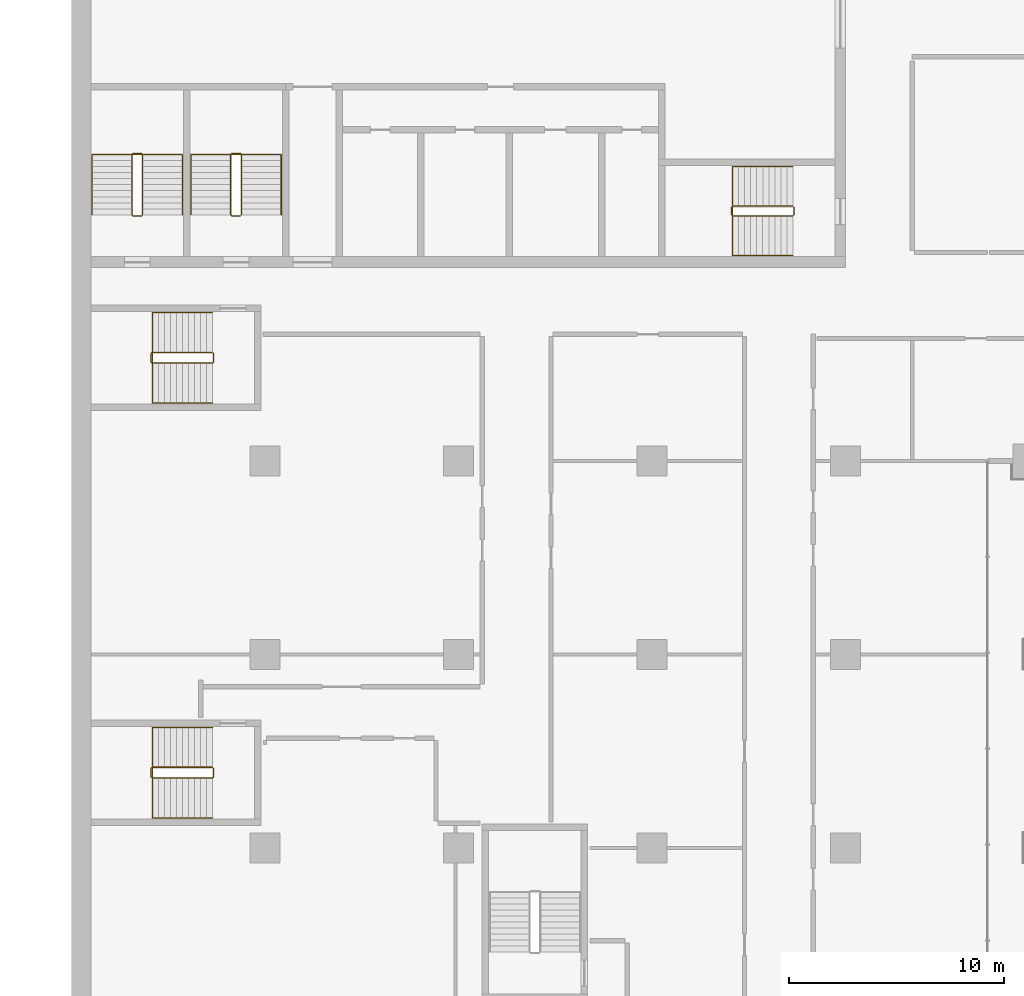
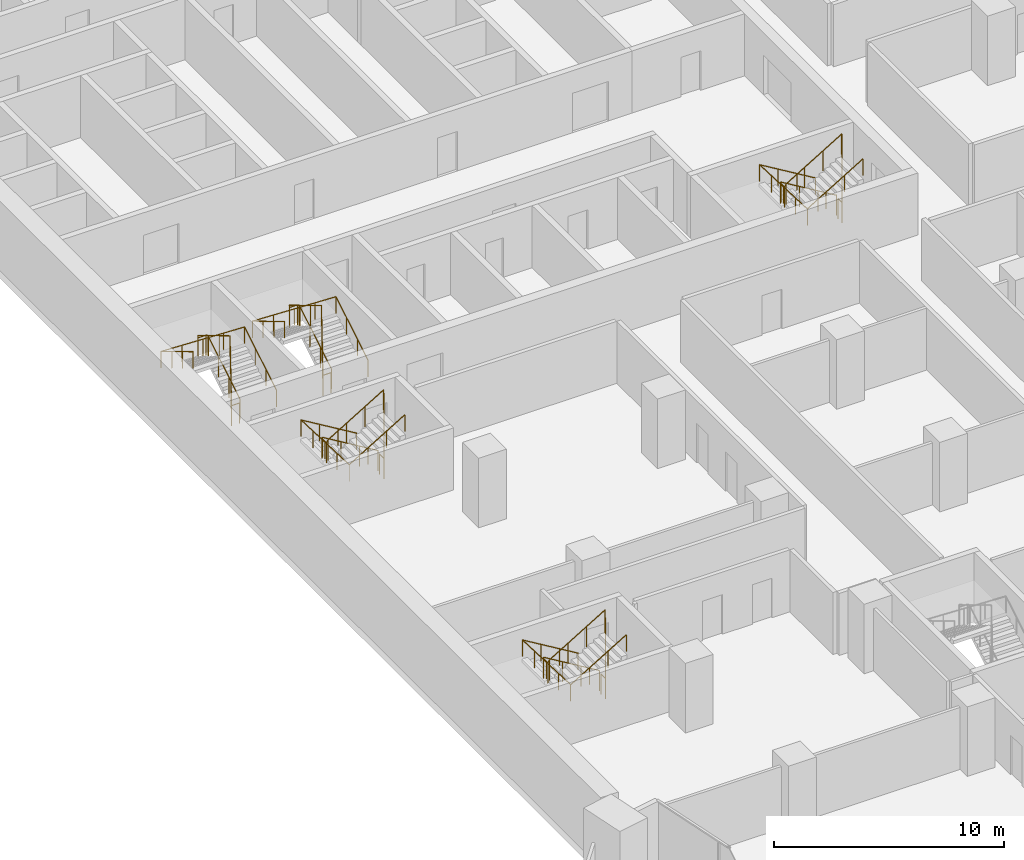
# One storey, part 26 of 29: 10 railings.
"""IFC4 building model written with IfcOpenShell, lengths in metres."""

from ifc_helpers import new_model, si_unit, direction, frame, origin, origin_2d, place, context, subcontext, project, spatial, circle, extrude, material, type_object, element, save


model = new_model("IFC4")

# Units and contexts
model_context = context("Model", 3, precision=1e-05, world=origin(), true_north=direction((0.0, 1.0)))
body_context = subcontext(model_context, "Body", "Model", "MODEL_VIEW")
ifc_project = project(units=[si_unit("LENGTHUNIT", "METRE"), si_unit("AREAUNIT", "SQUARE_METRE"), si_unit("VOLUMEUNIT", "CUBIC_METRE"), si_unit("PLANEANGLEUNIT", "RADIAN"), si_unit("MASSUNIT", "GRAM", prefix="KILO")], contexts=[model_context])

# Site, building, storey
site_placement = place(None, origin())
site = spatial("IfcSite", under=ifc_project, at=site_placement, CompositionType="ELEMENT")
building_placement = place(site_placement, origin())
building = spatial("IfcBuilding", under=site, at=building_placement, Name="Hunhe Ridgeline Campus", CompositionType="ELEMENT")
storey_placement = place(building_placement, frame((0.0, 0.0, 50.60009765625)))
storey = spatial("IfcBuildingStorey", under=building, at=storey_placement, Name="L11", CompositionType="ELEMENT", Elevation=50.60009765625)

# Railings
ifc_material_1 = material(Name="Stainless steel balustrade", Category="steel")
railing_type_1 = type_object("IfcRailingType", Name="Stair guard 1100 stainless", PredefinedType="GUARDRAIL", material=ifc_material_1)
railing_1_placement = place(storey_placement, frame((33.550048828125, 65.85009765625, 0.16796875)))
element("IfcRailing", 1, at=railing_1_placement, inside=storey, type_object=railing_type_1, Name="L11 stair S2 guard", PredefinedType="GUARDRAIL", context=body_context, shape_type="SweptSolid", body=[
    extrude(circle(Radius=0.02392578125, at=origin_2d()), frame((0.0, 0.0, 1.076171875), z_axis=(-0.857242210791, 0.0, 0.514913383045), x_axis=(0.0, -1.0, 0.0)), (0.0, 0.0, 1.0), 3.266357421875),
    extrude(circle(Radius=0.02392578125, at=origin_2d()), frame((-2.800048828125, 0.0, 2.7578125), z_axis=(-0.707106781187, -0.707106781187, 0.0), x_axis=(0.707106781187, -0.707106781187, 0.0)), (0.0, 0.0, 1.0), 0.07080078125),
    extrude(circle(Radius=0.02392578125, at=origin_2d()), frame((-2.85009765625, -0.050048828125, 2.7578125), z_axis=(0.0, -1.0, 0.0), x_axis=(1.0, 0.0, 0.0)), (0.0, 0.0, 1.0), 0.35009765625),
    extrude(circle(Radius=0.02392578125, at=origin_2d()), frame((-2.85009765625, -0.400146484375, 2.7578125), z_axis=(0.274243871929, -0.274243871929, 0.92172696468), x_axis=(0.707106781187, 0.707106781187, 0.0)), (0.0, 0.0, 1.0), 0.1826171875),
    extrude(circle(Radius=0.02392578125, at=origin_2d()), frame((-2.800048828125, -0.4501953125, 2.92626953125), z_axis=(0.857242210791, 0.0, 0.514913383045), x_axis=(0.0, 1.0, 0.0)), (0.0, 0.0, 1.0), 3.266357421875),
    extrude(circle(Radius=0.02392578125, at=origin_2d()), frame((0.0, -0.4501953125, 4.60791015625), z_axis=(0.013524414389, 0.013524414389, -0.999817073484), x_axis=(-0.707106781187, 0.707106781187, 0.0)), (0.0, 0.0, 1.0), 3.70068359375),
    extrude(circle(Radius=0.02392578125, at=origin_2d()), frame((0.050048828125, -0.400146484375, 0.908203125), z_axis=(0.0, 1.0, 0.0), x_axis=(-1.0, 0.0, 0.0)), (0.0, 0.0, 1.0), 0.35009765625),
    extrude(circle(Radius=0.02099609375, at=origin_2d()), origin(), (0.0, 0.0, 1.0), 1.052001953125),
    extrude(circle(Radius=0.02099609375, at=origin_2d()), frame((-0.933349609375, 0.0, 0.560546875)), (0.0, 0.0, 1.0), 1.052001953125),
    extrude(circle(Radius=0.02099609375, at=origin_2d()), frame((-1.86669921875, 0.0, 1.121337890625)), (0.0, 0.0, 1.0), 1.052001953125),
    extrude(circle(Radius=0.02099609375, at=origin_2d()), frame((-2.800048828125, 0.0, 1.681884765625)), (0.0, 0.0, 1.0), 1.052001953125),
    extrude(circle(Radius=0.02099609375, at=origin_2d()), frame((-2.85009765625, -0.050048828125, 1.681884765625)), (0.0, 0.0, 1.0), 1.052001953125),
    extrude(circle(Radius=0.02099609375, at=origin_2d()), frame((-2.85009765625, -0.400146484375, 1.681884765625)), (0.0, 0.0, 1.0), 1.052001953125),
    extrude(circle(Radius=0.02099609375, at=origin_2d()), frame((-2.800048828125, -0.4501953125, 1.85009765625)), (0.0, 0.0, 1.0), 1.052001953125),
    extrude(circle(Radius=0.02099609375, at=origin_2d()), frame((-1.86669921875, -0.4501953125, 2.41064453125)), (0.0, 0.0, 1.0), 1.052001953125),
    extrude(circle(Radius=0.02099609375, at=origin_2d()), frame((-0.933349609375, -0.4501953125, 2.971435546875)), (0.0, 0.0, 1.0), 1.052001953125),
    extrude(circle(Radius=0.02099609375, at=origin_2d()), frame((0.0, -0.4501953125, 3.531982421875)), (0.0, 0.0, 1.0), 1.052001953125),
    extrude(circle(Radius=0.02099609375, at=origin_2d()), frame((0.012451171875, -0.437744140625, 2.60693359375)), (0.0, 0.0, 1.0), 1.052001953125),
    extrude(circle(Radius=0.02099609375, at=origin_2d()), frame((0.02490234375, -0.42529296875, 1.68212890625)), (0.0, 0.0, 1.0), 1.052001953125),
    extrude(circle(Radius=0.02099609375, at=origin_2d()), frame((0.03759765625, -0.41259765625, 0.757080078125)), (0.0, 0.0, 1.0), 1.052001953125),
    extrude(circle(Radius=0.02099609375, at=origin_2d()), frame((0.050048828125, -0.400146484375, -0.16796875)), (0.0, 0.0, 1.0), 1.052001953125),
    extrude(circle(Radius=0.02099609375, at=origin_2d()), frame((0.050048828125, -0.050048828125, -0.16796875)), (0.0, 0.0, 1.0), 1.052001953125),
])
railing_2_placement = place(storey_placement, frame((3.300048828125, 65.449951171875, 0.16796875)))
element("IfcRailing", 2, at=railing_2_placement, inside=storey, type_object=railing_type_1, Name="L11 stair S3 guard", PredefinedType="GUARDRAIL", context=body_context, shape_type="SweptSolid", body=[
    extrude(circle(Radius=0.02392578125, at=origin_2d()), frame((0.0, 0.0, 1.076171875), z_axis=(0.0, 0.857242210791, 0.514913383045), x_axis=(-1.0, 0.0, 0.0)), (0.0, 0.0, 1.0), 3.266357421875),
    extrude(circle(Radius=0.02392578125, at=origin_2d()), frame((0.0, 2.800048828125, 2.7578125), z_axis=(-0.707106781187, 0.707106781187, 0.0), x_axis=(-0.707106781187, -0.707106781187, 0.0)), (0.0, 0.0, 1.0), 0.07080078125),
    extrude(circle(Radius=0.02392578125, at=origin_2d()), frame((-0.050048828125, 2.85009765625, 2.7578125), z_axis=(-1.0, 0.0, 0.0), x_axis=(0.0, -1.0, 0.0)), (0.0, 0.0, 1.0), 0.39990234375),
    extrude(circle(Radius=0.02392578125, at=origin_2d()), frame((-0.449951171875, 2.85009765625, 2.7578125), z_axis=(-0.274243871929, -0.274243871929, 0.92172696468), x_axis=(0.707106781187, -0.707106781187, 0.0)), (0.0, 0.0, 1.0), 0.1826171875),
    extrude(circle(Radius=0.02392578125, at=origin_2d()), frame((-0.5, 2.800048828125, 2.92626953125), z_axis=(0.0, -0.857242210791, 0.514913383045), x_axis=(1.0, 0.0, 0.0)), (0.0, 0.0, 1.0), 3.266357421875),
    extrude(circle(Radius=0.02392578125, at=origin_2d()), frame((-0.5, 0.0, 4.60791015625), z_axis=(0.013524414389, -0.013524414389, -0.999817073484), x_axis=(0.707106781187, 0.707106781187, 0.0)), (0.0, 0.0, 1.0), 3.70068359375),
    extrude(circle(Radius=0.02392578125, at=origin_2d()), frame((-0.449951171875, -0.050048828125, 0.908203125), z_axis=(1.0, 0.0, 0.0), x_axis=(0.0, 1.0, 0.0)), (0.0, 0.0, 1.0), 0.39990234375),
    extrude(circle(Radius=0.02099609375, at=origin_2d()), origin(), (0.0, 0.0, 1.0), 1.052001953125),
    extrude(circle(Radius=0.02099609375, at=origin_2d()), frame((0.0, 0.933349609375, 0.560546875)), (0.0, 0.0, 1.0), 1.052001953125),
    extrude(circle(Radius=0.02099609375, at=origin_2d()), frame((0.0, 1.86669921875, 1.121337890625)), (0.0, 0.0, 1.0), 1.052001953125),
    extrude(circle(Radius=0.02099609375, at=origin_2d()), frame((0.0, 2.800048828125, 1.681884765625)), (0.0, 0.0, 1.0), 1.052001953125),
    extrude(circle(Radius=0.02099609375, at=origin_2d()), frame((-0.050048828125, 2.85009765625, 1.681884765625)), (0.0, 0.0, 1.0), 1.052001953125),
    extrude(circle(Radius=0.02099609375, at=origin_2d()), frame((-0.449951171875, 2.85009765625, 1.681884765625)), (0.0, 0.0, 1.0), 1.052001953125),
    extrude(circle(Radius=0.02099609375, at=origin_2d()), frame((-0.5, 2.800048828125, 1.85009765625)), (0.0, 0.0, 1.0), 1.052001953125),
    extrude(circle(Radius=0.02099609375, at=origin_2d()), frame((-0.5, 1.86669921875, 2.41064453125)), (0.0, 0.0, 1.0), 1.052001953125),
    extrude(circle(Radius=0.02099609375, at=origin_2d()), frame((-0.5, 0.933349609375, 2.971435546875)), (0.0, 0.0, 1.0), 1.052001953125),
    extrude(circle(Radius=0.02099609375, at=origin_2d()), frame((-0.5, 0.0, 3.531982421875)), (0.0, 0.0, 1.0), 1.052001953125),
    extrude(circle(Radius=0.02099609375, at=origin_2d()), frame((-0.487548828125, -0.012451171875, 2.60693359375)), (0.0, 0.0, 1.0), 1.052001953125),
    extrude(circle(Radius=0.02099609375, at=origin_2d()), frame((-0.47509765625, -0.02490234375, 1.68212890625)), (0.0, 0.0, 1.0), 1.052001953125),
    extrude(circle(Radius=0.02099609375, at=origin_2d()), frame((-0.46240234375, -0.03759765625, 0.757080078125)), (0.0, 0.0, 1.0), 1.052001953125),
    extrude(circle(Radius=0.02099609375, at=origin_2d()), frame((-0.449951171875, -0.050048828125, -0.16796875)), (0.0, 0.0, 1.0), 1.052001953125),
    extrude(circle(Radius=0.02099609375, at=origin_2d()), frame((-0.050048828125, -0.050048828125, -0.16796875)), (0.0, 0.0, 1.0), 1.052001953125),
])
railing_3_placement = place(storey_placement, frame((7.89990234375, 65.449951171875, 0.16796875)))
element("IfcRailing", 3, at=railing_3_placement, inside=storey, type_object=railing_type_1, Name="L11 stair S4 guard", PredefinedType="GUARDRAIL", context=body_context, shape_type="SweptSolid", body=[
    extrude(circle(Radius=0.02392578125, at=origin_2d()), frame((0.0, 0.0, 1.076171875), z_axis=(0.0, 0.857242210791, 0.514913383045), x_axis=(-1.0, 0.0, 0.0)), (0.0, 0.0, 1.0), 3.266357421875),
    extrude(circle(Radius=0.02392578125, at=origin_2d()), frame((0.0, 2.800048828125, 2.7578125), z_axis=(-0.705375805398, 0.708833529934, 0.0), x_axis=(-0.708833529934, -0.705375805398, 0.0)), (0.0, 0.0, 1.0), 0.070556640625),
    extrude(circle(Radius=0.02392578125, at=origin_2d()), frame((-0.0498046875, 2.85009765625, 2.7578125), z_axis=(-1.0, 0.0, 0.0), x_axis=(0.0, -1.0, 0.0)), (0.0, 0.0, 1.0), 0.400146484375),
    extrude(circle(Radius=0.02392578125, at=origin_2d()), frame((-0.449951171875, 2.85009765625, 2.7578125), z_axis=(-0.274243871929, -0.274243871929, 0.92172696468), x_axis=(0.707106781187, -0.707106781187, 0.0)), (0.0, 0.0, 1.0), 0.1826171875),
    extrude(circle(Radius=0.02392578125, at=origin_2d()), frame((-0.5, 2.800048828125, 2.92626953125), z_axis=(0.0, -0.857242210791, 0.514913383045), x_axis=(1.0, 0.0, 0.0)), (0.0, 0.0, 1.0), 3.266357421875),
    extrude(circle(Radius=0.02392578125, at=origin_2d()), frame((-0.5, 0.0, 4.60791015625), z_axis=(0.013524414389, -0.013524414389, -0.999817073484), x_axis=(0.707106781187, 0.707106781187, 0.0)), (0.0, 0.0, 1.0), 3.70068359375),
    extrude(circle(Radius=0.02392578125, at=origin_2d()), frame((-0.449951171875, -0.050048828125, 0.908203125), z_axis=(1.0, 0.0, 0.0), x_axis=(0.0, 1.0, 0.0)), (0.0, 0.0, 1.0), 0.400146484375),
    extrude(circle(Radius=0.02099609375, at=origin_2d()), origin(), (0.0, 0.0, 1.0), 1.052001953125),
    extrude(circle(Radius=0.02099609375, at=origin_2d()), frame((0.0, 0.933349609375, 0.560546875)), (0.0, 0.0, 1.0), 1.052001953125),
    extrude(circle(Radius=0.02099609375, at=origin_2d()), frame((0.0, 1.86669921875, 1.121337890625)), (0.0, 0.0, 1.0), 1.052001953125),
    extrude(circle(Radius=0.02099609375, at=origin_2d()), frame((0.0, 2.800048828125, 1.681884765625)), (0.0, 0.0, 1.0), 1.052001953125),
    extrude(circle(Radius=0.02099609375, at=origin_2d()), frame((-0.0498046875, 2.85009765625, 1.681884765625)), (0.0, 0.0, 1.0), 1.052001953125),
    extrude(circle(Radius=0.02099609375, at=origin_2d()), frame((-0.449951171875, 2.85009765625, 1.681884765625)), (0.0, 0.0, 1.0), 1.052001953125),
    extrude(circle(Radius=0.02099609375, at=origin_2d()), frame((-0.5, 2.800048828125, 1.85009765625)), (0.0, 0.0, 1.0), 1.052001953125),
    extrude(circle(Radius=0.02099609375, at=origin_2d()), frame((-0.5, 1.86669921875, 2.41064453125)), (0.0, 0.0, 1.0), 1.052001953125),
    extrude(circle(Radius=0.02099609375, at=origin_2d()), frame((-0.5, 0.933349609375, 2.971435546875)), (0.0, 0.0, 1.0), 1.052001953125),
    extrude(circle(Radius=0.02099609375, at=origin_2d()), frame((-0.5, 0.0, 3.531982421875)), (0.0, 0.0, 1.0), 1.052001953125),
    extrude(circle(Radius=0.02099609375, at=origin_2d()), frame((-0.487548828125, -0.012451171875, 2.60693359375)), (0.0, 0.0, 1.0), 1.052001953125),
    extrude(circle(Radius=0.02099609375, at=origin_2d()), frame((-0.47509765625, -0.02490234375, 1.68212890625)), (0.0, 0.0, 1.0), 1.052001953125),
    extrude(circle(Radius=0.02099609375, at=origin_2d()), frame((-0.46240234375, -0.03759765625, 0.757080078125)), (0.0, 0.0, 1.0), 1.052001953125),
    extrude(circle(Radius=0.02099609375, at=origin_2d()), frame((-0.449951171875, -0.050048828125, -0.16796875)), (0.0, 0.0, 1.0), 1.052001953125),
    extrude(circle(Radius=0.02099609375, at=origin_2d()), frame((-0.0498046875, -0.050048828125, -0.16796875)), (0.0, 0.0, 1.0), 1.052001953125),
])
railing_4_placement = place(storey_placement, frame((6.550048828125, 39.75, 0.16796875)))
element("IfcRailing", 4, at=railing_4_placement, inside=storey, type_object=railing_type_1, Name="L11 stair W1 guard", PredefinedType="GUARDRAIL", context=body_context, shape_type="SweptSolid", body=[
    extrude(circle(Radius=0.02392578125, at=origin_2d()), frame((0.0, 0.0, 1.076171875), z_axis=(-0.857242210791, 0.0, 0.514913383045), x_axis=(0.0, -1.0, 0.0)), (0.0, 0.0, 1.0), 3.266357421875),
    extrude(circle(Radius=0.02392578125, at=origin_2d()), frame((-2.800048828125, 0.0, 2.7578125), z_axis=(-0.707106781187, -0.707106781187, 0.0), x_axis=(0.707106781187, -0.707106781187, 0.0)), (0.0, 0.0, 1.0), 0.07080078125),
    extrude(circle(Radius=0.02392578125, at=origin_2d()), frame((-2.85009765625, -0.050048828125, 2.7578125), z_axis=(0.0, -1.0, 0.0), x_axis=(1.0, 0.0, 0.0)), (0.0, 0.0, 1.0), 0.39990234375),
    extrude(circle(Radius=0.02392578125, at=origin_2d()), frame((-2.85009765625, -0.449951171875, 2.7578125), z_axis=(0.274243871929, -0.274243871929, 0.92172696468), x_axis=(0.707106781187, 0.707106781187, 0.0)), (0.0, 0.0, 1.0), 0.1826171875),
    extrude(circle(Radius=0.02392578125, at=origin_2d()), frame((-2.800048828125, -0.5, 2.92626953125), z_axis=(0.857242210791, 0.0, 0.514913383045), x_axis=(0.0, 1.0, 0.0)), (0.0, 0.0, 1.0), 3.266357421875),
    extrude(circle(Radius=0.02392578125, at=origin_2d()), frame((0.0, -0.5, 4.60791015625), z_axis=(0.013524414389, 0.013524414389, -0.999817073484), x_axis=(-0.707106781187, 0.707106781187, 0.0)), (0.0, 0.0, 1.0), 3.70068359375),
    extrude(circle(Radius=0.02392578125, at=origin_2d()), frame((0.050048828125, -0.449951171875, 0.908203125), z_axis=(0.0, 1.0, 0.0), x_axis=(-1.0, 0.0, 0.0)), (0.0, 0.0, 1.0), 0.39990234375),
    extrude(circle(Radius=0.02099609375, at=origin_2d()), origin(), (0.0, 0.0, 1.0), 1.052001953125),
    extrude(circle(Radius=0.02099609375, at=origin_2d()), frame((-0.933349609375, 0.0, 0.560546875)), (0.0, 0.0, 1.0), 1.052001953125),
    extrude(circle(Radius=0.02099609375, at=origin_2d()), frame((-1.86669921875, 0.0, 1.121337890625)), (0.0, 0.0, 1.0), 1.052001953125),
    extrude(circle(Radius=0.02099609375, at=origin_2d()), frame((-2.800048828125, 0.0, 1.681884765625)), (0.0, 0.0, 1.0), 1.052001953125),
    extrude(circle(Radius=0.02099609375, at=origin_2d()), frame((-2.85009765625, -0.050048828125, 1.681884765625)), (0.0, 0.0, 1.0), 1.052001953125),
    extrude(circle(Radius=0.02099609375, at=origin_2d()), frame((-2.85009765625, -0.449951171875, 1.681884765625)), (0.0, 0.0, 1.0), 1.052001953125),
    extrude(circle(Radius=0.02099609375, at=origin_2d()), frame((-2.800048828125, -0.5, 1.85009765625)), (0.0, 0.0, 1.0), 1.052001953125),
    extrude(circle(Radius=0.02099609375, at=origin_2d()), frame((-1.86669921875, -0.5, 2.41064453125)), (0.0, 0.0, 1.0), 1.052001953125),
    extrude(circle(Radius=0.02099609375, at=origin_2d()), frame((-0.933349609375, -0.5, 2.971435546875)), (0.0, 0.0, 1.0), 1.052001953125),
    extrude(circle(Radius=0.02099609375, at=origin_2d()), frame((0.0, -0.5, 3.531982421875)), (0.0, 0.0, 1.0), 1.052001953125),
    extrude(circle(Radius=0.02099609375, at=origin_2d()), frame((0.012451171875, -0.487548828125, 2.60693359375)), (0.0, 0.0, 1.0), 1.052001953125),
    extrude(circle(Radius=0.02099609375, at=origin_2d()), frame((0.02490234375, -0.47509765625, 1.68212890625)), (0.0, 0.0, 1.0), 1.052001953125),
    extrude(circle(Radius=0.02099609375, at=origin_2d()), frame((0.03759765625, -0.46240234375, 0.757080078125)), (0.0, 0.0, 1.0), 1.052001953125),
    extrude(circle(Radius=0.02099609375, at=origin_2d()), frame((0.050048828125, -0.449951171875, -0.16796875)), (0.0, 0.0, 1.0), 1.052001953125),
    extrude(circle(Radius=0.02099609375, at=origin_2d()), frame((0.050048828125, -0.050048828125, -0.16796875)), (0.0, 0.0, 1.0), 1.052001953125),
])
railing_5_placement = place(storey_placement, frame((6.550048828125, 59.050048828125, 0.16796875)))
element("IfcRailing", 5, at=railing_5_placement, inside=storey, type_object=railing_type_1, Name="L11 stair W2 guard", PredefinedType="GUARDRAIL", context=body_context, shape_type="SweptSolid", body=[
    extrude(circle(Radius=0.02392578125, at=origin_2d()), frame((0.0, 0.0, 1.076171875), z_axis=(-0.857242210791, 0.0, 0.514913383045), x_axis=(0.0, -1.0, 0.0)), (0.0, 0.0, 1.0), 3.266357421875),
    extrude(circle(Radius=0.02392578125, at=origin_2d()), frame((-2.800048828125, 0.0, 2.7578125), z_axis=(-0.707106781187, -0.707106781187, 0.0), x_axis=(0.707106781187, -0.707106781187, 0.0)), (0.0, 0.0, 1.0), 0.07080078125),
    extrude(circle(Radius=0.02392578125, at=origin_2d()), frame((-2.85009765625, -0.050048828125, 2.7578125), z_axis=(0.0, -1.0, 0.0), x_axis=(1.0, 0.0, 0.0)), (0.0, 0.0, 1.0), 0.39990234375),
    extrude(circle(Radius=0.02392578125, at=origin_2d()), frame((-2.85009765625, -0.449951171875, 2.7578125), z_axis=(0.274243871929, -0.274243871929, 0.92172696468), x_axis=(0.707106781187, 0.707106781187, 0.0)), (0.0, 0.0, 1.0), 0.1826171875),
    extrude(circle(Radius=0.02392578125, at=origin_2d()), frame((-2.800048828125, -0.5, 2.92626953125), z_axis=(0.857242210791, 0.0, 0.514913383045), x_axis=(0.0, 1.0, 0.0)), (0.0, 0.0, 1.0), 3.266357421875),
    extrude(circle(Radius=0.02392578125, at=origin_2d()), frame((0.0, -0.5, 4.60791015625), z_axis=(0.013524414389, 0.013524414389, -0.999817073484), x_axis=(-0.707106781187, 0.707106781187, 0.0)), (0.0, 0.0, 1.0), 3.70068359375),
    extrude(circle(Radius=0.02392578125, at=origin_2d()), frame((0.050048828125, -0.449951171875, 0.908203125), z_axis=(0.0, 1.0, 0.0), x_axis=(-1.0, 0.0, 0.0)), (0.0, 0.0, 1.0), 0.39990234375),
    extrude(circle(Radius=0.02099609375, at=origin_2d()), origin(), (0.0, 0.0, 1.0), 1.052001953125),
    extrude(circle(Radius=0.02099609375, at=origin_2d()), frame((-0.933349609375, 0.0, 0.560546875)), (0.0, 0.0, 1.0), 1.052001953125),
    extrude(circle(Radius=0.02099609375, at=origin_2d()), frame((-1.86669921875, 0.0, 1.121337890625)), (0.0, 0.0, 1.0), 1.052001953125),
    extrude(circle(Radius=0.02099609375, at=origin_2d()), frame((-2.800048828125, 0.0, 1.681884765625)), (0.0, 0.0, 1.0), 1.052001953125),
    extrude(circle(Radius=0.02099609375, at=origin_2d()), frame((-2.85009765625, -0.050048828125, 1.681884765625)), (0.0, 0.0, 1.0), 1.052001953125),
    extrude(circle(Radius=0.02099609375, at=origin_2d()), frame((-2.85009765625, -0.449951171875, 1.681884765625)), (0.0, 0.0, 1.0), 1.052001953125),
    extrude(circle(Radius=0.02099609375, at=origin_2d()), frame((-2.800048828125, -0.5, 1.85009765625)), (0.0, 0.0, 1.0), 1.052001953125),
    extrude(circle(Radius=0.02099609375, at=origin_2d()), frame((-1.86669921875, -0.5, 2.41064453125)), (0.0, 0.0, 1.0), 1.052001953125),
    extrude(circle(Radius=0.02099609375, at=origin_2d()), frame((-0.933349609375, -0.5, 2.971435546875)), (0.0, 0.0, 1.0), 1.052001953125),
    extrude(circle(Radius=0.02099609375, at=origin_2d()), frame((0.0, -0.5, 3.531982421875)), (0.0, 0.0, 1.0), 1.052001953125),
    extrude(circle(Radius=0.02099609375, at=origin_2d()), frame((0.012451171875, -0.487548828125, 2.60693359375)), (0.0, 0.0, 1.0), 1.052001953125),
    extrude(circle(Radius=0.02099609375, at=origin_2d()), frame((0.02490234375, -0.47509765625, 1.68212890625)), (0.0, 0.0, 1.0), 1.052001953125),
    extrude(circle(Radius=0.02099609375, at=origin_2d()), frame((0.03759765625, -0.46240234375, 0.757080078125)), (0.0, 0.0, 1.0), 1.052001953125),
    extrude(circle(Radius=0.02099609375, at=origin_2d()), frame((0.050048828125, -0.449951171875, -0.16796875)), (0.0, 0.0, 1.0), 1.052001953125),
    extrude(circle(Radius=0.02099609375, at=origin_2d()), frame((0.050048828125, -0.050048828125, -0.16796875)), (0.0, 0.0, 1.0), 1.052001953125),
])
ifc_material_2 = material(Name="Stainless steel handrail", Category="steel")
railing_type_2 = type_object("IfcRailingType", Name="Stair handrail 900 stainless", PredefinedType="HANDRAIL", material=ifc_material_2)
railing_6_placement = place(storey_placement, frame((33.550048828125, 67.699951171875, 0.16796875)))
element("IfcRailing", 6, at=railing_6_placement, inside=storey, type_object=railing_type_2, Name="L11 stair S2 handrail", PredefinedType="HANDRAIL", context=body_context, shape_type="SweptSolid", body=[
    extrude(circle(Radius=0.02392578125, at=origin_2d()), frame((0.0, 0.0, 0.8759765625), z_axis=(-0.857242210791, 0.0, 0.514913383045), x_axis=(0.0, -1.0, 0.0)), (0.0, 0.0, 1.0), 3.266357421875),
    extrude(circle(Radius=0.02392578125, at=origin_2d()), frame((-2.800048828125, 0.0, 2.5576171875), z_axis=(0.0, -0.99917950104, 0.040500922239), x_axis=(1.0, 0.0, 0.0)), (0.0, 0.0, 1.0), 4.1533203125),
    extrude(circle(Radius=0.02392578125, at=origin_2d()), frame((-2.800048828125, -4.14990234375, 2.72607421875), z_axis=(0.857242210791, 0.0, 0.514913383045), x_axis=(0.0, 1.0, 0.0)), (0.0, 0.0, 1.0), 3.266357421875),
    extrude(circle(Radius=0.02099609375, at=origin_2d()), origin(), (0.0, 0.0, 1.0), 0.851806640625),
    extrude(circle(Radius=0.02099609375, at=origin_2d()), frame((-0.933349609375, 0.0, 0.560546875)), (0.0, 0.0, 1.0), 0.851806640625),
    extrude(circle(Radius=0.02099609375, at=origin_2d()), frame((-1.86669921875, 0.0, 1.121337890625)), (0.0, 0.0, 1.0), 0.851806640625),
    extrude(circle(Radius=0.02099609375, at=origin_2d()), frame((-2.800048828125, 0.0, 1.681884765625)), (0.0, 0.0, 1.0), 0.851806640625),
    extrude(circle(Radius=0.02099609375, at=origin_2d()), frame((-2.800048828125, -1.03759765625, 1.723876953125)), (0.0, 0.0, 1.0), 0.851806640625),
    extrude(circle(Radius=0.02099609375, at=origin_2d()), frame((-2.800048828125, -2.074951171875, 1.76611328125)), (0.0, 0.0, 1.0), 0.851806640625),
    extrude(circle(Radius=0.02099609375, at=origin_2d()), frame((-2.800048828125, -3.1123046875, 1.80810546875)), (0.0, 0.0, 1.0), 0.851806640625),
    extrude(circle(Radius=0.02099609375, at=origin_2d()), frame((-2.800048828125, -4.14990234375, 1.85009765625)), (0.0, 0.0, 1.0), 0.851806640625),
    extrude(circle(Radius=0.02099609375, at=origin_2d()), frame((-1.86669921875, -4.14990234375, 2.41064453125)), (0.0, 0.0, 1.0), 0.851806640625),
    extrude(circle(Radius=0.02099609375, at=origin_2d()), frame((-0.933349609375, -4.14990234375, 2.971435546875)), (0.0, 0.0, 1.0), 0.851806640625),
    extrude(circle(Radius=0.02099609375, at=origin_2d()), frame((0.0, -4.14990234375, 3.531982421875)), (0.0, 0.0, 1.0), 0.851806640625),
])
railing_7_placement = place(storey_placement, frame((5.14990234375, 65.449951171875, 0.16796875)))
element("IfcRailing", 7, at=railing_7_placement, inside=storey, type_object=railing_type_2, Name="L11 stair S3 handrail", PredefinedType="HANDRAIL", context=body_context, shape_type="SweptSolid", body=[
    extrude(circle(Radius=0.02392578125, at=origin_2d()), frame((0.0, 0.0, 0.8759765625), z_axis=(0.0, 0.857242210791, 0.514913383045), x_axis=(-1.0, 0.0, 0.0)), (0.0, 0.0, 1.0), 3.266357421875),
    extrude(circle(Radius=0.02392578125, at=origin_2d()), frame((0.0, 2.800048828125, 2.5576171875), z_axis=(-0.999198916169, 0.0, 0.040019069537), x_axis=(0.0, -1.0, 0.0)), (0.0, 0.0, 1.0), 4.203369140625),
    extrude(circle(Radius=0.02392578125, at=origin_2d()), frame((-4.199951171875, 2.800048828125, 2.72607421875), z_axis=(0.0, -0.857242210791, 0.514913383045), x_axis=(1.0, 0.0, 0.0)), (0.0, 0.0, 1.0), 3.266357421875),
    extrude(circle(Radius=0.02099609375, at=origin_2d()), origin(), (0.0, 0.0, 1.0), 0.851806640625),
    extrude(circle(Radius=0.02099609375, at=origin_2d()), frame((0.0, 0.933349609375, 0.560546875)), (0.0, 0.0, 1.0), 0.851806640625),
    extrude(circle(Radius=0.02099609375, at=origin_2d()), frame((0.0, 1.86669921875, 1.121337890625)), (0.0, 0.0, 1.0), 0.851806640625),
    extrude(circle(Radius=0.02099609375, at=origin_2d()), frame((0.0, 2.800048828125, 1.681884765625)), (0.0, 0.0, 1.0), 0.851806640625),
    extrude(circle(Radius=0.02099609375, at=origin_2d()), frame((-1.050048828125, 2.800048828125, 1.723876953125)), (0.0, 0.0, 1.0), 0.851806640625),
    extrude(circle(Radius=0.02099609375, at=origin_2d()), frame((-2.10009765625, 2.800048828125, 1.76611328125)), (0.0, 0.0, 1.0), 0.851806640625),
    extrude(circle(Radius=0.02099609375, at=origin_2d()), frame((-3.14990234375, 2.800048828125, 1.80810546875)), (0.0, 0.0, 1.0), 0.851806640625),
    extrude(circle(Radius=0.02099609375, at=origin_2d()), frame((-4.199951171875, 2.800048828125, 1.85009765625)), (0.0, 0.0, 1.0), 0.851806640625),
    extrude(circle(Radius=0.02099609375, at=origin_2d()), frame((-4.199951171875, 1.86669921875, 2.41064453125)), (0.0, 0.0, 1.0), 0.851806640625),
    extrude(circle(Radius=0.02099609375, at=origin_2d()), frame((-4.199951171875, 0.933349609375, 2.971435546875)), (0.0, 0.0, 1.0), 0.851806640625),
    extrude(circle(Radius=0.02099609375, at=origin_2d()), frame((-4.199951171875, 0.0, 3.531982421875)), (0.0, 0.0, 1.0), 0.851806640625),
])
railing_8_placement = place(storey_placement, frame((9.75, 65.449951171875, 0.16796875)))
element("IfcRailing", 8, at=railing_8_placement, inside=storey, type_object=railing_type_2, Name="L11 stair S4 handrail", PredefinedType="HANDRAIL", context=body_context, shape_type="SweptSolid", body=[
    extrude(circle(Radius=0.02392578125, at=origin_2d()), frame((0.0, 0.0, 0.8759765625), z_axis=(0.0, 0.857242210791, 0.514913383045), x_axis=(-1.0, 0.0, 0.0)), (0.0, 0.0, 1.0), 3.266357421875),
    extrude(circle(Radius=0.02392578125, at=origin_2d()), frame((0.0, 2.800048828125, 2.5576171875), z_axis=(-0.999198916169, 0.0, 0.040019069537), x_axis=(0.0, -1.0, 0.0)), (0.0, 0.0, 1.0), 4.203369140625),
    extrude(circle(Radius=0.02392578125, at=origin_2d()), frame((-4.199951171875, 2.800048828125, 2.72607421875), z_axis=(0.0, -0.857242210791, 0.514913383045), x_axis=(1.0, 0.0, 0.0)), (0.0, 0.0, 1.0), 3.266357421875),
    extrude(circle(Radius=0.02099609375, at=origin_2d()), origin(), (0.0, 0.0, 1.0), 0.851806640625),
    extrude(circle(Radius=0.02099609375, at=origin_2d()), frame((0.0, 0.933349609375, 0.560546875)), (0.0, 0.0, 1.0), 0.851806640625),
    extrude(circle(Radius=0.02099609375, at=origin_2d()), frame((0.0, 1.86669921875, 1.121337890625)), (0.0, 0.0, 1.0), 0.851806640625),
    extrude(circle(Radius=0.02099609375, at=origin_2d()), frame((0.0, 2.800048828125, 1.681884765625)), (0.0, 0.0, 1.0), 0.851806640625),
    extrude(circle(Radius=0.02099609375, at=origin_2d()), frame((-1.050048828125, 2.800048828125, 1.723876953125)), (0.0, 0.0, 1.0), 0.851806640625),
    extrude(circle(Radius=0.02099609375, at=origin_2d()), frame((-2.10009765625, 2.800048828125, 1.76611328125)), (0.0, 0.0, 1.0), 0.851806640625),
    extrude(circle(Radius=0.02099609375, at=origin_2d()), frame((-3.14990234375, 2.800048828125, 1.80810546875)), (0.0, 0.0, 1.0), 0.851806640625),
    extrude(circle(Radius=0.02099609375, at=origin_2d()), frame((-4.199951171875, 2.800048828125, 1.85009765625)), (0.0, 0.0, 1.0), 0.851806640625),
    extrude(circle(Radius=0.02099609375, at=origin_2d()), frame((-4.199951171875, 1.86669921875, 2.41064453125)), (0.0, 0.0, 1.0), 0.851806640625),
    extrude(circle(Radius=0.02099609375, at=origin_2d()), frame((-4.199951171875, 0.933349609375, 2.971435546875)), (0.0, 0.0, 1.0), 0.851806640625),
    extrude(circle(Radius=0.02099609375, at=origin_2d()), frame((-4.199951171875, 0.0, 3.531982421875)), (0.0, 0.0, 1.0), 0.851806640625),
])
railing_9_placement = place(storey_placement, frame((6.550048828125, 41.60009765625, 0.16796875)))
element("IfcRailing", 9, at=railing_9_placement, inside=storey, type_object=railing_type_2, Name="L11 stair W1 handrail", PredefinedType="HANDRAIL", context=body_context, shape_type="SweptSolid", body=[
    extrude(circle(Radius=0.02392578125, at=origin_2d()), frame((0.0, 0.0, 0.8759765625), z_axis=(-0.857242210791, 0.0, 0.514913383045), x_axis=(0.0, -1.0, 0.0)), (0.0, 0.0, 1.0), 3.266357421875),
    extrude(circle(Radius=0.02392578125, at=origin_2d()), frame((-2.800048828125, 0.0, 2.5576171875), z_axis=(0.0, -0.999199009182, 0.040016747113), x_axis=(1.0, 0.0, 0.0)), (0.0, 0.0, 1.0), 4.20361328125),
    extrude(circle(Radius=0.02392578125, at=origin_2d()), frame((-2.800048828125, -4.2001953125, 2.72607421875), z_axis=(0.857242210791, 0.0, 0.514913383045), x_axis=(0.0, 1.0, 0.0)), (0.0, 0.0, 1.0), 3.266357421875),
    extrude(circle(Radius=0.02099609375, at=origin_2d()), origin(), (0.0, 0.0, 1.0), 0.851806640625),
    extrude(circle(Radius=0.02099609375, at=origin_2d()), frame((-0.933349609375, 0.0, 0.560546875)), (0.0, 0.0, 1.0), 0.851806640625),
    extrude(circle(Radius=0.02099609375, at=origin_2d()), frame((-1.86669921875, 0.0, 1.121337890625)), (0.0, 0.0, 1.0), 0.851806640625),
    extrude(circle(Radius=0.02099609375, at=origin_2d()), frame((-2.800048828125, 0.0, 1.681884765625)), (0.0, 0.0, 1.0), 0.851806640625),
    extrude(circle(Radius=0.02099609375, at=origin_2d()), frame((-2.800048828125, -1.050048828125, 1.723876953125)), (0.0, 0.0, 1.0), 0.851806640625),
    extrude(circle(Radius=0.02099609375, at=origin_2d()), frame((-2.800048828125, -2.10009765625, 1.76611328125)), (0.0, 0.0, 1.0), 0.851806640625),
    extrude(circle(Radius=0.02099609375, at=origin_2d()), frame((-2.800048828125, -3.150146484375, 1.80810546875)), (0.0, 0.0, 1.0), 0.851806640625),
    extrude(circle(Radius=0.02099609375, at=origin_2d()), frame((-2.800048828125, -4.2001953125, 1.85009765625)), (0.0, 0.0, 1.0), 0.851806640625),
    extrude(circle(Radius=0.02099609375, at=origin_2d()), frame((-1.86669921875, -4.2001953125, 2.41064453125)), (0.0, 0.0, 1.0), 0.851806640625),
    extrude(circle(Radius=0.02099609375, at=origin_2d()), frame((-0.933349609375, -4.2001953125, 2.971435546875)), (0.0, 0.0, 1.0), 0.851806640625),
    extrude(circle(Radius=0.02099609375, at=origin_2d()), frame((0.0, -4.2001953125, 3.531982421875)), (0.0, 0.0, 1.0), 0.851806640625),
])
railing_10_placement = place(storey_placement, frame((6.550048828125, 60.89990234375, 0.16796875)))
element("IfcRailing", 10, at=railing_10_placement, inside=storey, type_object=railing_type_2, Name="L11 stair W2 handrail", PredefinedType="HANDRAIL", context=body_context, shape_type="SweptSolid", body=[
    extrude(circle(Radius=0.02392578125, at=origin_2d()), frame((0.0, 0.0, 0.8759765625), z_axis=(-0.857242210791, 0.0, 0.514913383045), x_axis=(0.0, -1.0, 0.0)), (0.0, 0.0, 1.0), 3.266357421875),
    extrude(circle(Radius=0.02392578125, at=origin_2d()), frame((-2.800048828125, 0.0, 2.5576171875), z_axis=(0.0, -0.999198916169, 0.040019069537), x_axis=(1.0, 0.0, 0.0)), (0.0, 0.0, 1.0), 4.203369140625),
    extrude(circle(Radius=0.02392578125, at=origin_2d()), frame((-2.800048828125, -4.199951171875, 2.72607421875), z_axis=(0.857242210791, 0.0, 0.514913383045), x_axis=(0.0, 1.0, 0.0)), (0.0, 0.0, 1.0), 3.266357421875),
    extrude(circle(Radius=0.02099609375, at=origin_2d()), origin(), (0.0, 0.0, 1.0), 0.851806640625),
    extrude(circle(Radius=0.02099609375, at=origin_2d()), frame((-0.933349609375, 0.0, 0.560546875)), (0.0, 0.0, 1.0), 0.851806640625),
    extrude(circle(Radius=0.02099609375, at=origin_2d()), frame((-1.86669921875, 0.0, 1.121337890625)), (0.0, 0.0, 1.0), 0.851806640625),
    extrude(circle(Radius=0.02099609375, at=origin_2d()), frame((-2.800048828125, 0.0, 1.681884765625)), (0.0, 0.0, 1.0), 0.851806640625),
    extrude(circle(Radius=0.02099609375, at=origin_2d()), frame((-2.800048828125, -1.050048828125, 1.723876953125)), (0.0, 0.0, 1.0), 0.851806640625),
    extrude(circle(Radius=0.02099609375, at=origin_2d()), frame((-2.800048828125, -2.10009765625, 1.76611328125)), (0.0, 0.0, 1.0), 0.851806640625),
    extrude(circle(Radius=0.02099609375, at=origin_2d()), frame((-2.800048828125, -3.14990234375, 1.80810546875)), (0.0, 0.0, 1.0), 0.851806640625),
    extrude(circle(Radius=0.02099609375, at=origin_2d()), frame((-2.800048828125, -4.199951171875, 1.85009765625)), (0.0, 0.0, 1.0), 0.851806640625),
    extrude(circle(Radius=0.02099609375, at=origin_2d()), frame((-1.86669921875, -4.199951171875, 2.41064453125)), (0.0, 0.0, 1.0), 0.851806640625),
    extrude(circle(Radius=0.02099609375, at=origin_2d()), frame((-0.933349609375, -4.199951171875, 2.971435546875)), (0.0, 0.0, 1.0), 0.851806640625),
    extrude(circle(Radius=0.02099609375, at=origin_2d()), frame((0.0, -4.199951171875, 3.531982421875)), (0.0, 0.0, 1.0), 0.851806640625),
])

save(model, "model.ifc")
